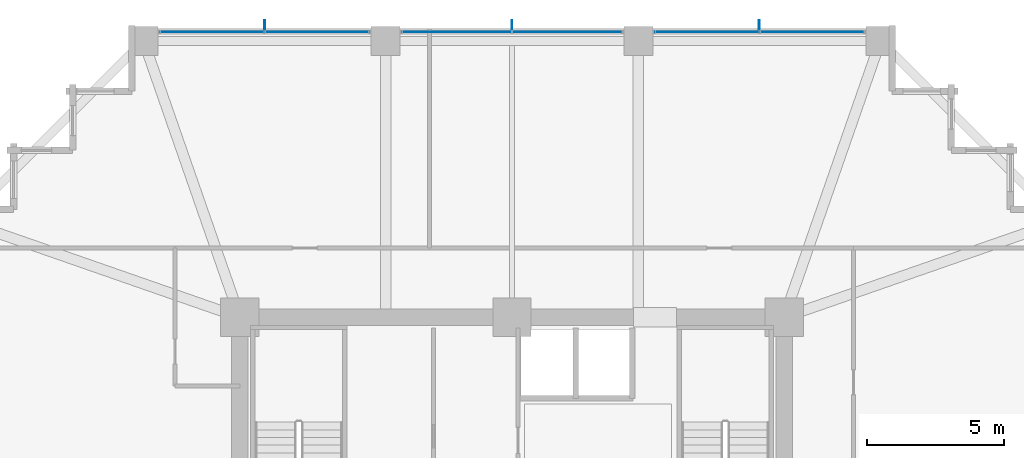
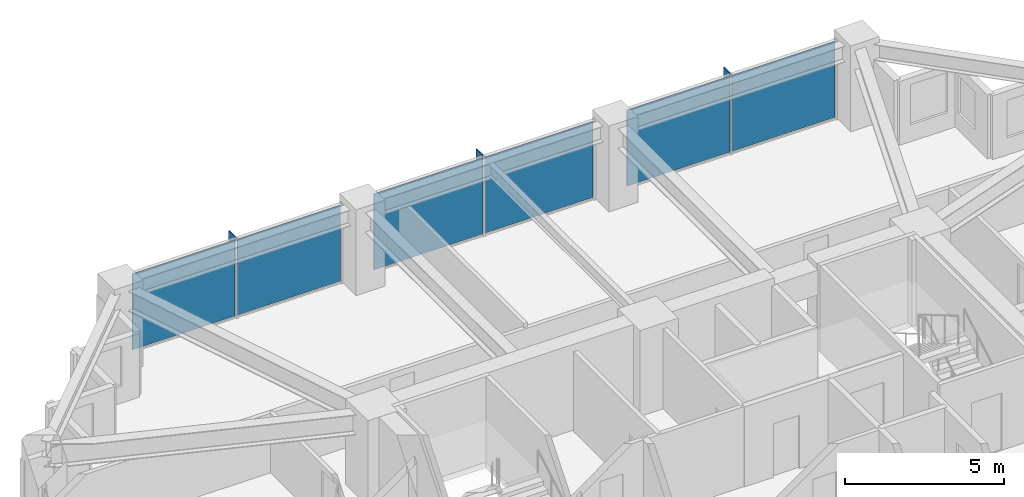
# One storey, part 29 of 36: 9 plates, 3 elements without a shape of their own.
"""IFC4 building model written with IfcOpenShell, lengths in metres."""

import ifcopenshell
import ifcopenshell.guid

model = None  # the IFC model being written
_history = None  # IfcOwnerHistory: only IFC2X3 demands one
_inside = {}  # id of a spatial element -> (the spatial element, [elements in it])
_under = {}  # id of a project, library or spatial element -> (it, [spatial elements below it])
_declared = {}  # id of a project -> (the project, [libraries it declares])
_typed = {}  # id of a type object -> (the type object, [elements of that type])
_made_of = {}  # id of a material, layer set ... -> (it, [elements and type objects made of it])


def new_model(schema):
    """Start an empty IFC model of exactly this schema.

    Asked for "IFC4X3", IfcOpenShell would pick the latest addendum, in which some entities
    have other attributes; the version numbers below select the first issue.
    IFC2X3 requires an IfcOwnerHistory on every rooted entity: one is made here for all.
    """
    global model, _history
    if schema == "IFC4X3":
        model = ifcopenshell.file(schema_version=(4, 3, 0, 0))
    else:
        model = ifcopenshell.file(schema=schema)
    _inside.clear()
    _under.clear()
    _declared.clear()
    _typed.clear()
    _made_of.clear()
    _history = None
    if model.schema == "IFC2X3":
        org = make("IfcOrganization", Name="unknown")
        user = make(
            "IfcPersonAndOrganization",
            ThePerson=make("IfcPerson", FamilyName="unknown"),
            TheOrganization=org,
        )
        app = make(
            "IfcApplication",
            ApplicationDeveloper=org,
            Version="unknown",
            ApplicationFullName="unknown",
            ApplicationIdentifier="unknown",
        )
        _history = make(
            "IfcOwnerHistory",
            OwningUser=user,
            OwningApplication=app,
            ChangeAction="ADDED",
            CreationDate=0,
        )
    return model


def make(cls, **values):
    """One entity of the class cls with the attributes given. An attribute that is None is left unset."""
    return model.create_entity(
        cls, **{name: value for name, value in values.items() if value is not None}
    )


def rooted(cls, **values):
    """An entity with a GlobalId (a new one), such as an element, a storey or a relation."""
    return make(cls, GlobalId=ifcopenshell.guid.new(), OwnerHistory=_history, **values)


def si_unit(unit_type, name, prefix=None):
    """IfcSIUnit, for example si_unit("LENGTHUNIT", "METRE", prefix="MILLI")."""
    return make("IfcSIUnit", UnitType=unit_type, Prefix=prefix, Name=name)


def assignment(units):
    """IfcUnitAssignment: the units of a project."""
    return None if units is None else make("IfcUnitAssignment", Units=units)


def point(xyz):
    """IfcCartesianPoint."""
    return None if xyz is None else make("IfcCartesianPoint", Coordinates=xyz)


def direction(xyz):
    """IfcDirection."""
    return None if xyz is None else make("IfcDirection", DirectionRatios=xyz)


def frame(location, z_axis=None, x_axis=None):
    """IfcAxis2Placement3D, a coordinate frame: its origin and axes. An axis left out is left unset."""
    return make(
        "IfcAxis2Placement3D",
        Location=point(location),
        Axis=direction(z_axis),
        RefDirection=direction(x_axis),
    )


def frame_2d(location, x_axis=None):
    """IfcAxis2Placement2D, a coordinate frame in the plane: its origin and x axis."""
    return make(
        "IfcAxis2Placement2D", Location=point(location), RefDirection=direction(x_axis)
    )


def origin():
    """The frame at (0, 0, 0) with its axes left unset."""
    return frame((0.0, 0.0, 0.0))


def origin_2d():
    """The frame at (0, 0) in the plane with its x axis left unset."""
    return frame_2d((0.0, 0.0))


def place(relative_to, where):
    """IfcLocalPlacement: puts the frame where relative to a parent placement (None: the world)."""
    return make(
        "IfcLocalPlacement", PlacementRelTo=relative_to, RelativePlacement=where
    )


def context(
    kind, dimensions, precision=None, world=None, true_north=None, identifier=None
):
    """IfcGeometricRepresentationContext, for example the 3D "Model" context."""
    return make(
        "IfcGeometricRepresentationContext",
        ContextIdentifier=identifier,
        ContextType=kind,
        CoordinateSpaceDimension=dimensions,
        Precision=precision,
        WorldCoordinateSystem=world,
        TrueNorth=true_north,
    )


def subcontext(parent, identifier, kind, view, scale=None):
    """IfcGeometricRepresentationSubContext, for example "Body" below "Model"."""
    return make(
        "IfcGeometricRepresentationSubContext",
        ContextIdentifier=identifier,
        ContextType=kind,
        ParentContext=parent,
        TargetScale=scale,
        TargetView=view,
    )


def project(units=None, contexts=None):
    """IfcProject with its units and contexts."""
    return rooted(
        "IfcProject",
        Name="project",
        RepresentationContexts=contexts,
        UnitsInContext=assignment(units),
    )


def spatial(cls, under=None, at=None, **own):
    """A site, building, storey or space (cls), placed at a placement, below another one or the project."""
    s = rooted(cls, ObjectPlacement=at, **own)
    if under is not None:
        _under.setdefault(under.id(), (under, []))[1].append(s)
    return s


def profile(cls, at=None, kind="AREA", **sizes):
    """A parametric profile (cls). Its sizes go by their IFC names, for example OverallWidth=200.0."""
    return make(cls, ProfileType=kind, Position=at, **sizes)


def rectangle(**sizes):
    """IfcRectangleProfileDef."""
    return profile("IfcRectangleProfileDef", **sizes)


def extrude(swept, where, along, depth):
    """IfcExtrudedAreaSolid: the profile swept, set in the frame where, extruded along a direction by depth."""
    return make(
        "IfcExtrudedAreaSolid",
        SweptArea=swept,
        Position=where,
        ExtrudedDirection=direction(along),
        Depth=depth,
    )


def shape(context_of_items, identifier, shape_type, items):
    """IfcShapeRepresentation: the items that make up one representation, for example the "Body"."""
    return make(
        "IfcShapeRepresentation",
        ContextOfItems=context_of_items,
        RepresentationIdentifier=identifier,
        RepresentationType=shape_type,
        Items=items,
    )


def material(Name=None, Category=None):
    """IfcMaterial."""
    return make("IfcMaterial", Name=Name, Category=Category)


def layer(
    of_material, thickness, ventilated=None, Name=None, Category=None, Priority=None
):
    """IfcMaterialLayer: one layer of a wall or slab, of a material (None: an air gap)."""
    return make(
        "IfcMaterialLayer",
        Material=of_material,
        LayerThickness=thickness,
        IsVentilated=ventilated,
        Name=Name,
        Category=Category,
        Priority=Priority,
    )


def layer_set(layers, Name=None):
    """IfcMaterialLayerSet."""
    return make("IfcMaterialLayerSet", MaterialLayers=layers, LayerSetName=Name)


def made_of(thing, what):
    """Note that an element or type object is made of a material, layer set ...; save() writes the relation."""
    if what is not None:
        _made_of.setdefault(what.id(), (what, []))[1].append(thing)
    return thing


def type_object(cls, material=None, **own):
    """A type object (cls), such as IfcWallType, which elements share."""
    return made_of(rooted(cls, **own), material)


def element(
    cls,
    number,
    at=None,
    inside=None,
    cuts=None,
    type_object=None,
    material=None,
    context=None,
    identifier="Body",
    shape_type=None,
    held_by="IfcProductDefinitionShape",
    body=None,
    shapes=None,
    **own,
):
    """One element of the class cls, such as IfcWall. Its Tag is "e" and its number.

    at: its placement. inside: the storey or other place that contains it. cuts: it is an
    opening in that element (IfcRelVoidsElement). A single representation is given by context,
    identifier, shape_type and body (its items); several are given by shapes. held_by: the class
    of the entity that holds the representations. save() writes the other relations.
    """
    e = rooted(cls, Tag="e%d" % number, ObjectPlacement=at, **own)
    if body is not None:
        shapes = [shape(context, identifier, shape_type, body)]
    if shapes is not None:
        e.Representation = make(held_by, Representations=shapes)
    if inside is not None:
        _inside.setdefault(inside.id(), (inside, []))[1].append(e)
    if cuts is not None:
        rooted(
            "IfcRelVoidsElement", RelatingBuildingElement=cuts, RelatedOpeningElement=e
        )
    if type_object is not None:
        _typed.setdefault(type_object.id(), (type_object, []))[1].append(e)
    return made_of(e, material)


def aggregate(whole, parts):
    """IfcRelAggregates: a whole, such as a stair, and the parts it consists of."""
    return rooted("IfcRelAggregates", RelatingObject=whole, RelatedObjects=parts)


def save(model, path):
    """Write the relations noted so far, then the file.

    IfcRelAggregates (storeys below a building ...), IfcRelContainedInSpatialStructure (elements
    in a storey), IfcRelDefinesByType, IfcRelAssociatesMaterial and IfcRelDeclares: one each for
    every whole, place, type object, material and project.
    """
    for whole, parts in _under.values():
        aggregate(whole, parts)
    for where, things in _inside.values():
        rooted(
            "IfcRelContainedInSpatialStructure",
            RelatedElements=things,
            RelatingStructure=where,
        )
    for kind, things in _typed.values():
        rooted("IfcRelDefinesByType", RelatedObjects=things, RelatingType=kind)
    for what, things in _made_of.values():
        rooted("IfcRelAssociatesMaterial", RelatedObjects=things, RelatingMaterial=what)
    for by, libraries in _declared.values():
        rooted("IfcRelDeclares", RelatingContext=by, RelatedDefinitions=libraries)
    model.write(path)


model = new_model("IFC4")

# Units and contexts
model_context = context("Model", 3, precision=1e-05, world=origin(), true_north=direction((0.0, 1.0)))
body_context = subcontext(model_context, "Body", "Model", "MODEL_VIEW")
ifc_project = project(units=[si_unit("LENGTHUNIT", "METRE"), si_unit("AREAUNIT", "SQUARE_METRE"), si_unit("VOLUMEUNIT", "CUBIC_METRE"), si_unit("PLANEANGLEUNIT", "RADIAN"), si_unit("MASSUNIT", "GRAM", prefix="KILO")], contexts=[model_context])

# Site, building, storey
site_placement = place(None, origin())
site = spatial("IfcSite", under=ifc_project, at=site_placement, CompositionType="ELEMENT")
building_placement = place(site_placement, origin())
building = spatial("IfcBuilding", under=site, at=building_placement, Name="Kolvaren Belvedere", CompositionType="ELEMENT")
storey_placement = place(building_placement, frame((0.0, 0.0, 88.699951171875)))
storey = spatial("IfcBuildingStorey", under=building, at=storey_placement, Name="L25", CompositionType="ELEMENT", Elevation=88.699951171875)

# Curtain wall, plates
ifc_material_1 = material(Name="Anodised pale-metal aluminium AA 6063-T6", Category="aluminium")
curtain_wall_type = type_object("IfcCurtainWallType", Name="CW-Z2-MID", PredefinedType="NOTDEFINED", material=ifc_material_1)
curtain_wall_1_placement = place(storey_placement, origin())
curtain_wall_1 = element("IfcCurtainWall", 1, at=curtain_wall_1_placement, inside=storey, type_object=curtain_wall_type, Name="L25 Unitised Curtain Wall FCW-L25-N-B1", PredefinedType="NOTDEFINED")
ifc_material_2 = material(Name="Low-iron triple insulated glass", Category="glass")
ifc_layer_1 = layer(ifc_material_2, 0.028076171875)
ifc_layer_set_1 = layer_set([ifc_layer_1], Name="Low-iron triple insulated glass")
plate_type_1 = type_object("IfcPlateType", Name="CW-PNL-VIS28", PredefinedType="CURTAIN_PANEL", material=ifc_layer_set_1)
plate_1_placement = place(storey_placement, frame((-10.9111328125, 20.280029296875, 0.080078125), z_axis=(0.0, 0.0, 1.0), x_axis=(1.0, 0.0, 0.0)))
plate_1 = element("IfcPlate", 2, at=plate_1_placement, type_object=plate_type_1, Name="FCW-L25-N-B1 Vision Glazing Panel 1", PredefinedType="CURTAIN_PANEL", context=body_context, shape_type="SweptSolid", body=[
    extrude(rectangle(XDim=3.742431640625, YDim=0.028076171875, at=origin_2d()), origin(), (0.0, 0.0, 1.0), 2.919921875),
])
plate_2_placement = place(storey_placement, frame((-7.0888671875, 20.280029296875, 0.080078125), z_axis=(0.0, 0.0, 1.0), x_axis=(1.0, 0.0, 0.0)))
plate_2 = element("IfcPlate", 3, at=plate_2_placement, type_object=plate_type_1, Name="FCW-L25-N-B1 Vision Glazing Panel 2", PredefinedType="CURTAIN_PANEL", context=body_context, shape_type="SweptSolid", body=[
    extrude(rectangle(XDim=3.742431640625, YDim=0.028076171875, at=origin_2d()), origin(), (0.0, 0.0, 1.0), 2.919921875),
])
aggregate(curtain_wall_1, [plate_1, plate_2])

curtain_wall_2_placement = place(storey_placement, origin())
curtain_wall_2 = element("IfcCurtainWall", 4, at=curtain_wall_2_placement, inside=storey, type_object=curtain_wall_type, Name="L25 Unitised Curtain Wall FCW-L25-N-B2", PredefinedType="NOTDEFINED")
plate_3_placement = place(storey_placement, frame((-2.01123046875, 20.280029296875, 0.080078125), z_axis=(0.0, 0.0, 1.0), x_axis=(1.0, 0.0, 0.0)))
plate_3 = element("IfcPlate", 5, at=plate_3_placement, type_object=plate_type_1, Name="FCW-L25-N-B2 Vision Glazing Panel 1", PredefinedType="CURTAIN_PANEL", context=body_context, shape_type="SweptSolid", body=[
    extrude(rectangle(XDim=3.9423828125, YDim=0.028076171875, at=origin_2d()), origin(), (0.0, 0.0, 1.0), 2.919921875),
])
plate_4_placement = place(storey_placement, frame((2.01123046875, 20.280029296875, 0.080078125), z_axis=(0.0, 0.0, 1.0), x_axis=(1.0, 0.0, 0.0)))
plate_4 = element("IfcPlate", 6, at=plate_4_placement, type_object=plate_type_1, Name="FCW-L25-N-B2 Vision Glazing Panel 2", PredefinedType="CURTAIN_PANEL", context=body_context, shape_type="SweptSolid", body=[
    extrude(rectangle(XDim=3.9423828125, YDim=0.028076171875, at=origin_2d()), origin(), (0.0, 0.0, 1.0), 2.919921875),
])
aggregate(curtain_wall_2, [plate_3, plate_4])

curtain_wall_3_placement = place(storey_placement, origin())
curtain_wall_3 = element("IfcCurtainWall", 7, at=curtain_wall_3_placement, inside=storey, type_object=curtain_wall_type, Name="L25 Unitised Curtain Wall FCW-L25-N-B3", PredefinedType="NOTDEFINED")
plate_5_placement = place(storey_placement, frame((7.0888671875, 20.280029296875, 0.080078125), z_axis=(0.0, 0.0, 1.0), x_axis=(1.0, 0.0, 0.0)))
plate_5 = element("IfcPlate", 8, at=plate_5_placement, type_object=plate_type_1, Name="FCW-L25-N-B3 Vision Glazing Panel 1", PredefinedType="CURTAIN_PANEL", context=body_context, shape_type="SweptSolid", body=[
    extrude(rectangle(XDim=3.742431640625, YDim=0.028076171875, at=origin_2d()), origin(), (0.0, 0.0, 1.0), 2.919921875),
])
plate_6_placement = place(storey_placement, frame((10.9111328125, 20.280029296875, 0.080078125), z_axis=(0.0, 0.0, 1.0), x_axis=(1.0, 0.0, 0.0)))
plate_6 = element("IfcPlate", 9, at=plate_6_placement, type_object=plate_type_1, Name="FCW-L25-N-B3 Vision Glazing Panel 2", PredefinedType="CURTAIN_PANEL", context=body_context, shape_type="SweptSolid", body=[
    extrude(rectangle(XDim=3.742431640625, YDim=0.028076171875, at=origin_2d()), origin(), (0.0, 0.0, 1.0), 2.919921875),
])
aggregate(curtain_wall_3, [plate_5, plate_6])

# Plates
ifc_material_3 = material(Name="Anodised pale-metal aluminium AA 6063-T6", Category="aluminium")
ifc_layer_2 = layer(ifc_material_3, 0.033935546875)
ifc_layer_set_2 = layer_set([ifc_layer_2], Name="Anodised pale-metal aluminium AA 6063-T6")
plate_type_2 = type_object("IfcPlateType", Name="FIN-VERT-380", PredefinedType="USERDEFINED", material=ifc_layer_set_2)
for number, where, z_axis, x_axis, name in (
    (10, (-9.0, 20.52490234375, 0.0), (0.0, 0.0, 1.0), (0.0, 1.0, 0.0), "L25 Pale-Metal Vertical Shading Fin FCW-L25-N-B1-1"),
    (11, (0.0, 20.52490234375, 0.0), (0.0, 0.0, 1.0), (0.0, 1.0, 0.0), "L25 Pale-Metal Vertical Shading Fin FCW-L25-N-B2-1"),
    (12, (9.0, 20.52490234375, 0.0), (0.0, 0.0, 1.0), (0.0, 1.0, 0.0), "L25 Pale-Metal Vertical Shading Fin FCW-L25-N-B3-1"),
):
    element("IfcPlate", number, at=place(storey_placement, frame(where, z_axis=z_axis, x_axis=x_axis)), inside=storey, type_object=plate_type_2, Name=name, ObjectType="VERTICAL FIN", PredefinedType="USERDEFINED", context=body_context, shape_type="SweptSolid", body=[
        extrude(rectangle(XDim=0.3798828125, YDim=0.033935546875, at=origin_2d()), origin(), (0.0, 0.0, 1.0), 3.080078125),
    ])

save(model, "model.ifc")
